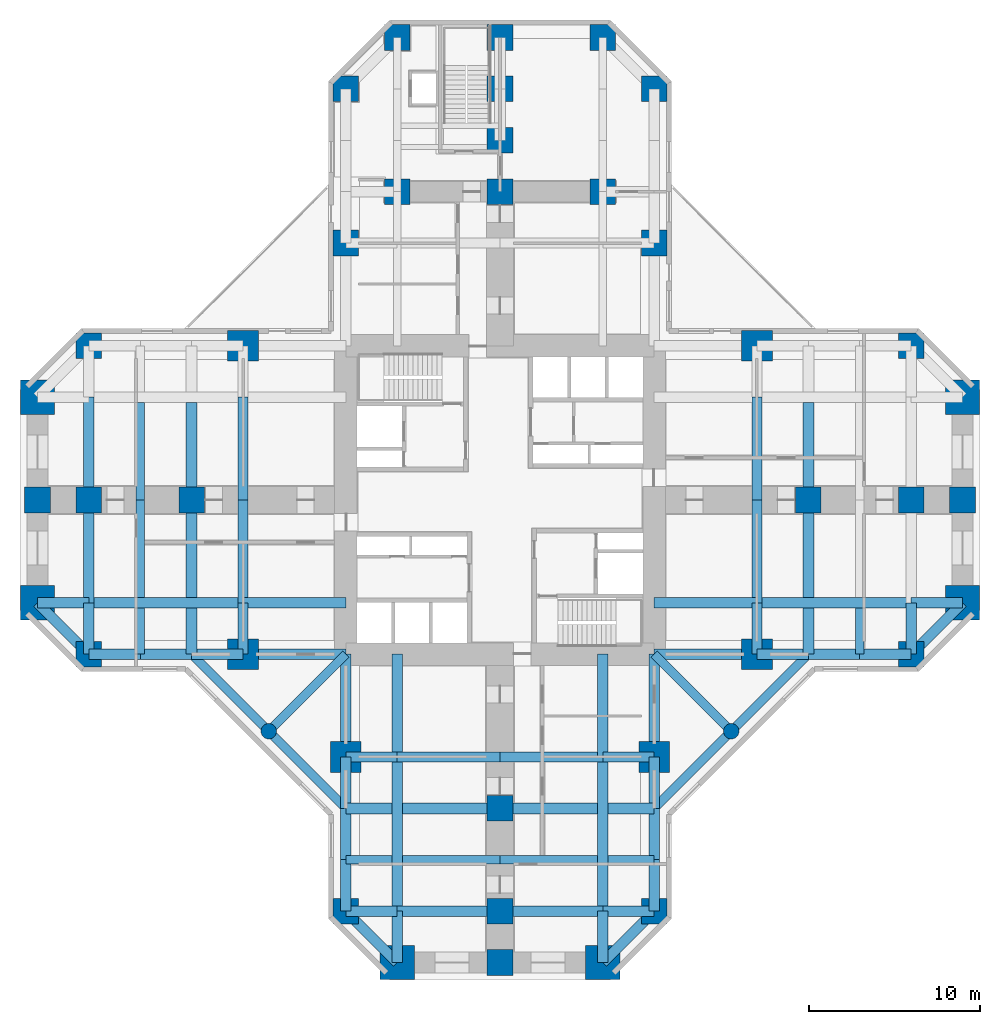
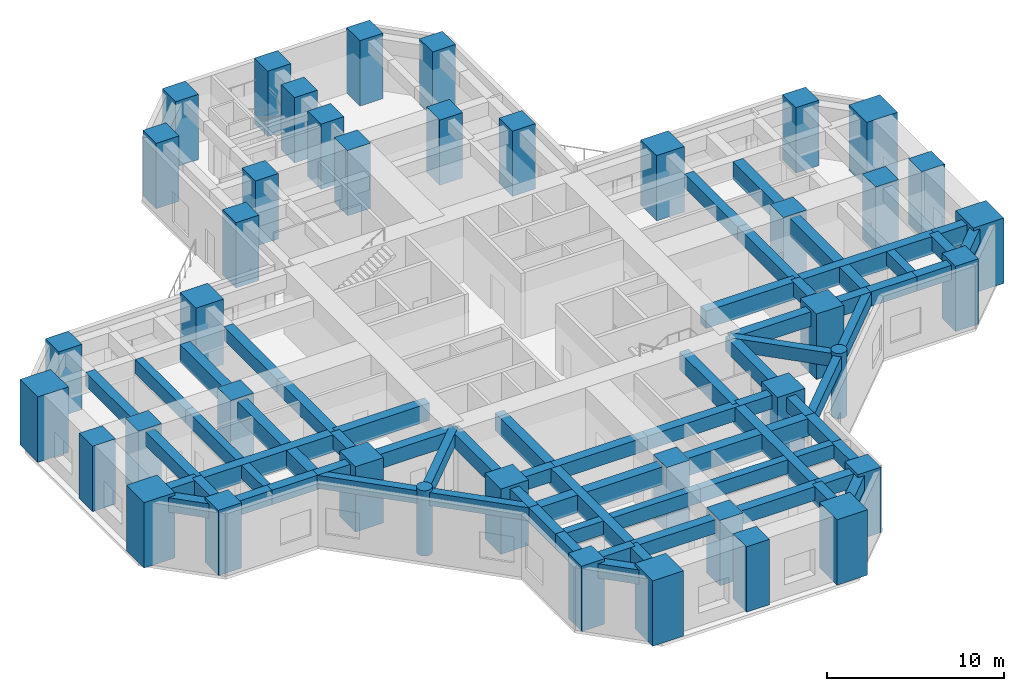
# One storey, part 1 of 10: 74 beams, 41 columns.
"""IFC4 building model written with IfcOpenShell, lengths in metres."""

import ifcopenshell
import ifcopenshell.guid

model = None  # the IFC model being written
_history = None  # IfcOwnerHistory: only IFC2X3 demands one
_inside = {}  # id of a spatial element -> (the spatial element, [elements in it])
_under = {}  # id of a project, library or spatial element -> (it, [spatial elements below it])
_declared = {}  # id of a project -> (the project, [libraries it declares])
_typed = {}  # id of a type object -> (the type object, [elements of that type])
_made_of = {}  # id of a material, layer set ... -> (it, [elements and type objects made of it])


def new_model(schema):
    """Start an empty IFC model of exactly this schema.

    Asked for "IFC4X3", IfcOpenShell would pick the latest addendum, in which some entities
    have other attributes; the version numbers below select the first issue.
    IFC2X3 requires an IfcOwnerHistory on every rooted entity: one is made here for all.
    """
    global model, _history
    if schema == "IFC4X3":
        model = ifcopenshell.file(schema_version=(4, 3, 0, 0))
    else:
        model = ifcopenshell.file(schema=schema)
    _inside.clear()
    _under.clear()
    _declared.clear()
    _typed.clear()
    _made_of.clear()
    _history = None
    if model.schema == "IFC2X3":
        org = make("IfcOrganization", Name="unknown")
        user = make(
            "IfcPersonAndOrganization",
            ThePerson=make("IfcPerson", FamilyName="unknown"),
            TheOrganization=org,
        )
        app = make(
            "IfcApplication",
            ApplicationDeveloper=org,
            Version="unknown",
            ApplicationFullName="unknown",
            ApplicationIdentifier="unknown",
        )
        _history = make(
            "IfcOwnerHistory",
            OwningUser=user,
            OwningApplication=app,
            ChangeAction="ADDED",
            CreationDate=0,
        )
    return model


def make(cls, **values):
    """One entity of the class cls with the attributes given. An attribute that is None is left unset."""
    return model.create_entity(
        cls, **{name: value for name, value in values.items() if value is not None}
    )


def rooted(cls, **values):
    """An entity with a GlobalId (a new one), such as an element, a storey or a relation."""
    return make(cls, GlobalId=ifcopenshell.guid.new(), OwnerHistory=_history, **values)


def si_unit(unit_type, name, prefix=None):
    """IfcSIUnit, for example si_unit("LENGTHUNIT", "METRE", prefix="MILLI")."""
    return make("IfcSIUnit", UnitType=unit_type, Prefix=prefix, Name=name)


def assignment(units):
    """IfcUnitAssignment: the units of a project."""
    return None if units is None else make("IfcUnitAssignment", Units=units)


def point(xyz):
    """IfcCartesianPoint."""
    return None if xyz is None else make("IfcCartesianPoint", Coordinates=xyz)


def direction(xyz):
    """IfcDirection."""
    return None if xyz is None else make("IfcDirection", DirectionRatios=xyz)


def frame(location, z_axis=None, x_axis=None):
    """IfcAxis2Placement3D, a coordinate frame: its origin and axes. An axis left out is left unset."""
    return make(
        "IfcAxis2Placement3D",
        Location=point(location),
        Axis=direction(z_axis),
        RefDirection=direction(x_axis),
    )


def frame_2d(location, x_axis=None):
    """IfcAxis2Placement2D, a coordinate frame in the plane: its origin and x axis."""
    return make(
        "IfcAxis2Placement2D", Location=point(location), RefDirection=direction(x_axis)
    )


def origin():
    """The frame at (0, 0, 0) with its axes left unset."""
    return frame((0.0, 0.0, 0.0))


def origin_2d():
    """The frame at (0, 0) in the plane with its x axis left unset."""
    return frame_2d((0.0, 0.0))


def place(relative_to, where):
    """IfcLocalPlacement: puts the frame where relative to a parent placement (None: the world)."""
    return make(
        "IfcLocalPlacement", PlacementRelTo=relative_to, RelativePlacement=where
    )


def context(
    kind, dimensions, precision=None, world=None, true_north=None, identifier=None
):
    """IfcGeometricRepresentationContext, for example the 3D "Model" context."""
    return make(
        "IfcGeometricRepresentationContext",
        ContextIdentifier=identifier,
        ContextType=kind,
        CoordinateSpaceDimension=dimensions,
        Precision=precision,
        WorldCoordinateSystem=world,
        TrueNorth=true_north,
    )


def subcontext(parent, identifier, kind, view, scale=None):
    """IfcGeometricRepresentationSubContext, for example "Body" below "Model"."""
    return make(
        "IfcGeometricRepresentationSubContext",
        ContextIdentifier=identifier,
        ContextType=kind,
        ParentContext=parent,
        TargetScale=scale,
        TargetView=view,
    )


def project(units=None, contexts=None):
    """IfcProject with its units and contexts."""
    return rooted(
        "IfcProject",
        Name="project",
        RepresentationContexts=contexts,
        UnitsInContext=assignment(units),
    )


def spatial(cls, under=None, at=None, **own):
    """A site, building, storey or space (cls), placed at a placement, below another one or the project."""
    s = rooted(cls, ObjectPlacement=at, **own)
    if under is not None:
        _under.setdefault(under.id(), (under, []))[1].append(s)
    return s


def profile(cls, at=None, kind="AREA", **sizes):
    """A parametric profile (cls). Its sizes go by their IFC names, for example OverallWidth=200.0."""
    return make(cls, ProfileType=kind, Position=at, **sizes)


def rectangle(**sizes):
    """IfcRectangleProfileDef."""
    return profile("IfcRectangleProfileDef", **sizes)


def circle(**sizes):
    """IfcCircleProfileDef."""
    return profile("IfcCircleProfileDef", **sizes)


def extrude(swept, where, along, depth):
    """IfcExtrudedAreaSolid: the profile swept, set in the frame where, extruded along a direction by depth."""
    return make(
        "IfcExtrudedAreaSolid",
        SweptArea=swept,
        Position=where,
        ExtrudedDirection=direction(along),
        Depth=depth,
    )


def shape(context_of_items, identifier, shape_type, items):
    """IfcShapeRepresentation: the items that make up one representation, for example the "Body"."""
    return make(
        "IfcShapeRepresentation",
        ContextOfItems=context_of_items,
        RepresentationIdentifier=identifier,
        RepresentationType=shape_type,
        Items=items,
    )


def material(Name=None, Category=None):
    """IfcMaterial."""
    return make("IfcMaterial", Name=Name, Category=Category)


def material_profile(
    of_material, cross_section, Name=None, Category=None, Priority=None
):
    """IfcMaterialProfile: a cross section and its material."""
    return make(
        "IfcMaterialProfile",
        Name=Name,
        Material=of_material,
        Profile=cross_section,
        Priority=Priority,
        Category=Category,
    )


def profile_set(profiles, Name=None, composite=None):
    """IfcMaterialProfileSet."""
    return make(
        "IfcMaterialProfileSet",
        Name=Name,
        MaterialProfiles=profiles,
        CompositeProfile=composite,
    )


def made_of(thing, what):
    """Note that an element or type object is made of a material, layer set ...; save() writes the relation."""
    if what is not None:
        _made_of.setdefault(what.id(), (what, []))[1].append(thing)
    return thing


def type_object(cls, material=None, **own):
    """A type object (cls), such as IfcWallType, which elements share."""
    return made_of(rooted(cls, **own), material)


def element(
    cls,
    number,
    at=None,
    inside=None,
    cuts=None,
    type_object=None,
    material=None,
    context=None,
    identifier="Body",
    shape_type=None,
    held_by="IfcProductDefinitionShape",
    body=None,
    shapes=None,
    **own,
):
    """One element of the class cls, such as IfcWall. Its Tag is "e" and its number.

    at: its placement. inside: the storey or other place that contains it. cuts: it is an
    opening in that element (IfcRelVoidsElement). A single representation is given by context,
    identifier, shape_type and body (its items); several are given by shapes. held_by: the class
    of the entity that holds the representations. save() writes the other relations.
    """
    e = rooted(cls, Tag="e%d" % number, ObjectPlacement=at, **own)
    if body is not None:
        shapes = [shape(context, identifier, shape_type, body)]
    if shapes is not None:
        e.Representation = make(held_by, Representations=shapes)
    if inside is not None:
        _inside.setdefault(inside.id(), (inside, []))[1].append(e)
    if cuts is not None:
        rooted(
            "IfcRelVoidsElement", RelatingBuildingElement=cuts, RelatedOpeningElement=e
        )
    if type_object is not None:
        _typed.setdefault(type_object.id(), (type_object, []))[1].append(e)
    return made_of(e, material)


def aggregate(whole, parts):
    """IfcRelAggregates: a whole, such as a stair, and the parts it consists of."""
    return rooted("IfcRelAggregates", RelatingObject=whole, RelatedObjects=parts)


def save(model, path):
    """Write the relations noted so far, then the file.

    IfcRelAggregates (storeys below a building ...), IfcRelContainedInSpatialStructure (elements
    in a storey), IfcRelDefinesByType, IfcRelAssociatesMaterial and IfcRelDeclares: one each for
    every whole, place, type object, material and project.
    """
    for whole, parts in _under.values():
        aggregate(whole, parts)
    for where, things in _inside.values():
        rooted(
            "IfcRelContainedInSpatialStructure",
            RelatedElements=things,
            RelatingStructure=where,
        )
    for kind, things in _typed.values():
        rooted("IfcRelDefinesByType", RelatedObjects=things, RelatingType=kind)
    for what, things in _made_of.values():
        rooted("IfcRelAssociatesMaterial", RelatedObjects=things, RelatingMaterial=what)
    for by, libraries in _declared.values():
        rooted("IfcRelDeclares", RelatingContext=by, RelatedDefinitions=libraries)
    model.write(path)


model = new_model("IFC4")

# Units and contexts
model_context = context("Model", 3, precision=1e-05, world=origin(), true_north=direction((0.0, 1.0)))
body_context = subcontext(model_context, "Body", "Model", "MODEL_VIEW")
ifc_project = project(units=[si_unit("LENGTHUNIT", "METRE"), si_unit("AREAUNIT", "SQUARE_METRE"), si_unit("VOLUMEUNIT", "CUBIC_METRE"), si_unit("PLANEANGLEUNIT", "RADIAN"), si_unit("MASSUNIT", "GRAM", prefix="KILO")], contexts=[model_context])

# Site, building, storey
site_placement = place(None, origin())
site = spatial("IfcSite", under=ifc_project, at=site_placement, CompositionType="ELEMENT")
building_placement = place(site_placement, origin())
building = spatial("IfcBuilding", under=site, at=building_placement, Name="Torre Cruceta", CompositionType="ELEMENT")
storey_placement = place(building_placement, frame((0.0, 0.0, 5.0)))
storey = spatial("IfcBuildingStorey", under=building, at=storey_placement, Name="L01", CompositionType="ELEMENT", Elevation=5.0)

# Columns
ifc_material_1 = material(Name="Concrete G60 (fck 60 MPa)", Category="concrete")
ifc_material_profile_1 = material_profile(ifc_material_1, rectangle(XDim=1.5, YDim=1.5, at=origin_2d()), Name="RC 1500X1500")
ifc_profile_set_1 = profile_set([ifc_material_profile_1], Name="Concrete G60 (fck 60 MPa)")
column_type_1 = type_object("IfcColumnType", Name="COLUMN RC 1500X1500", PredefinedType="COLUMN", material=ifc_profile_set_1)
for number, where, z_axis, x_axis, name in (
    (1, (9.0, 15.0, 0.0), (0.0, 0.0, 1.0), (1.0, 0.0, 0.0), "C0 L01 N side"),
    (2, (9.0, 24.0, 0.0), (0.0, 0.0, 1.0), (1.0, 0.0, 0.0), "C0 L01 N chamfer"),
    (3, (-9.0, 15.0, 0.0), (0.0, 0.0, 1.0), (1.0, 0.0, 0.0), "C0 L01 N side"),
    (4, (-9.0, 24.0, 0.0), (0.0, 0.0, 1.0), (1.0, 0.0, 0.0), "C0 L01 N chamfer"),
    (5, (6.0, 27.0, 0.0), (0.0, 0.0, 1.0), (1.0, 0.0, 0.0), "C0 L01 N tip"),
    (6, (0.0, 27.0, 0.0), (0.0, 0.0, 1.0), (1.0, 0.0, 0.0), "C0 L01 N tip"),
    (7, (-6.0, 27.0, 0.0), (0.0, 0.0, 1.0), (1.0, 0.0, 0.0), "C0 L01 N tip"),
    (8, (24.0, -9.0, 0.0), (0.0, 0.0, 1.0), (1.0, 0.0, 0.0), "C0 L01 E chamfer"),
    (9, (24.0, 9.0, 0.0), (0.0, 0.0, 1.0), (1.0, 0.0, 0.0), "C0 L01 E chamfer"),
    (10, (27.0, 0.0, 0.0), (0.0, 0.0, 1.0), (1.0, 0.0, 0.0), "C0 L01 E tip"),
    (11, (-9.0, -24.0, 0.0), (0.0, 0.0, 1.0), (1.0, 0.0, 0.0), "C0 L01 S chamfer"),
    (12, (9.0, -24.0, 0.0), (0.0, 0.0, 1.0), (1.0, 0.0, 0.0), "C0 L01 S chamfer"),
    (13, (0.0, -27.0, 0.0), (0.0, 0.0, 1.0), (1.0, 0.0, 0.0), "C0 L01 S tip"),
    (14, (-24.0, 9.0, 0.0), (0.0, 0.0, 1.0), (1.0, 0.0, 0.0), "C0 L01 W chamfer"),
    (15, (-24.0, -9.0, 0.0), (0.0, 0.0, 1.0), (1.0, 0.0, 0.0), "C0 L01 W chamfer"),
    (16, (-27.0, 0.0, 0.0), (0.0, 0.0, 1.0), (1.0, 0.0, 0.0), "C0 L01 W tip"),
    (17, (6.0, 18.0, 0.0), (0.0, 0.0, 1.0), (1.0, 0.0, 0.0), "C0 L01 N interior"),
    (18, (0.0, 18.0, 0.0), (0.0, 0.0, 1.0), (1.0, 0.0, 0.0), "C0 L01 N interior"),
    (19, (-6.0, 18.0, 0.0), (0.0, 0.0, 1.0), (1.0, 0.0, 0.0), "C0 L01 N interior"),
    (20, (0.0, 21.0, 0.0), (0.0, 0.0, 1.0), (1.0, 0.0, 0.0), "C0 L01 N interior"),
    (21, (0.0, 24.0, 0.0), (0.0, 0.0, 1.0), (1.0, 0.0, 0.0), "C0 L01 N interior"),
    (22, (18.0, 0.0, 0.0), (0.0, 0.0, 1.0), (1.0, 0.0, 0.0), "C0 L01 E interior"),
    (23, (24.0, 0.0, 0.0), (0.0, 0.0, 1.0), (1.0, 0.0, 0.0), "C0 L01 E interior"),
    (24, (0.0, -18.0, 0.0), (0.0, 0.0, 1.0), (1.0, 0.0, 0.0), "C0 L01 S interior"),
    (25, (0.0, -24.0, 0.0), (0.0, 0.0, 1.0), (1.0, 0.0, 0.0), "C0 L01 S interior"),
    (26, (-18.0, 0.0, 0.0), (0.0, 0.0, 1.0), (1.0, 0.0, 0.0), "C0 L01 W interior"),
    (27, (-24.0, 0.0, 0.0), (0.0, 0.0, 1.0), (1.0, 0.0, 0.0), "C0 L01 W interior"),
):
    element("IfcColumn", number, at=place(storey_placement, frame(where, z_axis=z_axis, x_axis=x_axis)), inside=storey, type_object=column_type_1, Name=name, PredefinedType="COLUMN", context=body_context, shape_type="SweptSolid", body=[
        extrude(rectangle(XDim=1.5, YDim=1.5, at=origin_2d()), origin(), (0.0, 0.0, 1.0), 4.5),
    ])
ifc_material_2 = material(Name="Concrete G60 (fck 60 MPa)", Category="concrete")
ifc_material_profile_2 = material_profile(ifc_material_2, rectangle(XDim=1.800048828125, YDim=1.800048828125, at=origin_2d()), Name="RC 1800X1800")
ifc_profile_set_2 = profile_set([ifc_material_profile_2], Name="Concrete G60 (fck 60 MPa)")
column_type_2 = type_object("IfcColumnType", Name="COLUMN RC 1800X1800", PredefinedType="COLUMN", material=ifc_profile_set_2)
for number, where, z_axis, x_axis, name in (
    (28, (15.0, -9.0, 0.0), (0.0, 0.0, 1.0), (1.0, 0.0, 0.0), "CB L01 E side"),
    (29, (15.0, 9.0, 0.0), (0.0, 0.0, 1.0), (1.0, 0.0, 0.0), "CB L01 E side"),
    (30, (-9.0, -15.0, 0.0), (0.0, 0.0, 1.0), (1.0, 0.0, 0.0), "CB L01 S side"),
    (31, (9.0, -15.0, 0.0), (0.0, 0.0, 1.0), (1.0, 0.0, 0.0), "CB L01 S side"),
    (32, (-15.0, 9.0, 0.0), (0.0, 0.0, 1.0), (1.0, 0.0, 0.0), "CB L01 W side"),
    (33, (-15.0, -9.0, 0.0), (0.0, 0.0, 1.0), (1.0, 0.0, 0.0), "CB L01 W side"),
):
    element("IfcColumn", number, at=place(storey_placement, frame(where, z_axis=z_axis, x_axis=x_axis)), inside=storey, type_object=column_type_2, Name=name, PredefinedType="COLUMN", context=body_context, shape_type="SweptSolid", body=[
        extrude(rectangle(XDim=1.800048828125, YDim=1.800048828125, at=origin_2d()), origin(), (0.0, 0.0, 1.0), 4.5),
    ])
ifc_material_3 = material(Name="Concrete G60 (fck 60 MPa)", Category="concrete")
ifc_material_profile_3 = material_profile(ifc_material_3, rectangle(XDim=2.0, YDim=2.0, at=origin_2d()), Name="RC 2000X2000")
ifc_profile_set_3 = profile_set([ifc_material_profile_3], Name="Concrete G60 (fck 60 MPa)")
column_type_3 = type_object("IfcColumnType", Name="COLUMN RC 2000X2000", PredefinedType="COLUMN", material=ifc_profile_set_3)
for number, where, z_axis, x_axis, name in (
    (34, (27.0, -6.0, 0.0), (0.0, 0.0, 1.0), (1.0, 0.0, 0.0), "CA L01 E tip"),
    (35, (27.0, 6.0, 0.0), (0.0, 0.0, 1.0), (1.0, 0.0, 0.0), "CA L01 E tip"),
    (36, (-6.0, -27.0, 0.0), (0.0, 0.0, 1.0), (1.0, 0.0, 0.0), "CA L01 S tip"),
    (37, (6.0, -27.0, 0.0), (0.0, 0.0, 1.0), (1.0, 0.0, 0.0), "CA L01 S tip"),
    (38, (-27.0, 6.0, 0.0), (0.0, 0.0, 1.0), (1.0, 0.0, 0.0), "CA L01 W tip"),
    (39, (-27.0, -6.0, 0.0), (0.0, 0.0, 1.0), (1.0, 0.0, 0.0), "CA L01 W tip"),
):
    element("IfcColumn", number, at=place(storey_placement, frame(where, z_axis=z_axis, x_axis=x_axis)), inside=storey, type_object=column_type_3, Name=name, PredefinedType="COLUMN", context=body_context, shape_type="SweptSolid", body=[
        extrude(rectangle(XDim=2.0, YDim=2.0, at=origin_2d()), origin(), (0.0, 0.0, 1.0), 4.5),
    ])
ifc_material_4 = material(Name="Concrete G60 (fck 60 MPa)", Category="concrete")
ifc_material_profile_4 = material_profile(ifc_material_4, circle(Radius=0.449951171875, at=origin_2d()), Name="RC D900")
ifc_profile_set_4 = profile_set([ifc_material_profile_4], Name="Concrete G60 (fck 60 MPa)")
column_type_4 = type_object("IfcColumnType", Name="COLUMN RC D900", PredefinedType="COLUMN", material=ifc_profile_set_4)
for number, where, z_axis, x_axis, name in (
    (40, (13.5, -13.5, 0.0), (0.0, 0.0, 1.0), (1.0, 0.0, 0.0), "C9 L01 S wing"),
    (41, (-13.5, -13.5, 0.0), (0.0, 0.0, 1.0), (1.0, 0.0, 0.0), "C9 L01 W wing"),
):
    element("IfcColumn", number, at=place(storey_placement, frame(where, z_axis=z_axis, x_axis=x_axis)), inside=storey, type_object=column_type_4, Name=name, PredefinedType="COLUMN", context=body_context, shape_type="SweptSolid", body=[
        extrude(circle(Radius=0.449951171875, at=origin_2d()), origin(), (0.0, 0.0, 1.0), 4.5),
    ])

# Beams
ifc_material_5 = material(Name="Concrete G60 (fck 60 MPa)", Category="concrete")
ifc_material_profile_5 = material_profile(ifc_material_5, rectangle(XDim=0.60009765625, YDim=1.199951171875, at=origin_2d()), Name="RC 600X1200")
ifc_profile_set_5 = profile_set([ifc_material_profile_5], Name="Concrete G60 (fck 60 MPa)")
beam_type_1 = type_object("IfcBeamType", Name="COLUMN LINE BEAM RC 600X1200", PredefinedType="BEAM", material=ifc_profile_set_5)
beam_1_placement = place(storey_placement, frame((9.0, -6.0, 3.699951171875), z_axis=(1.0, 0.0, 0.0), x_axis=(0.0, 1.0, 0.0)))
element("IfcBeam", 42, at=beam_1_placement, inside=storey, type_object=beam_type_1, Name="LB2 L01 E col- 1", PredefinedType="BEAM", context=body_context, shape_type="SweptSolid", body=[
    extrude(rectangle(XDim=0.60009765625, YDim=1.199951171875, at=origin_2d()), origin(), (0.0, 0.0, 1.0), 6.0),
])
beam_2_placement = place(storey_placement, frame((15.0, -6.0, 3.699951171875), z_axis=(1.0, 0.0, 0.0), x_axis=(0.0, 1.0, 0.0)))
element("IfcBeam", 43, at=beam_2_placement, inside=storey, type_object=beam_type_1, Name="LB2 L01 E col- 2", PredefinedType="BEAM", context=body_context, shape_type="SweptSolid", body=[
    extrude(rectangle(XDim=0.60009765625, YDim=1.199951171875, at=origin_2d()), origin(), (0.0, 0.0, 1.0), 9.0),
])
beam_3_placement = place(storey_placement, frame((24.0, -6.0, 3.699951171875), z_axis=(1.0, 0.0, 0.0), x_axis=(0.0, 1.0, 0.0)))
element("IfcBeam", 44, at=beam_3_placement, inside=storey, type_object=beam_type_1, Name="LB2 L01 E col- 5", PredefinedType="BEAM", context=body_context, shape_type="SweptSolid", body=[
    extrude(rectangle(XDim=0.60009765625, YDim=1.199951171875, at=origin_2d()), origin(), (0.0, 0.0, 1.0), 3.0),
])
beam_4_placement = place(storey_placement, frame((-6.0, -9.0, 3.699951171875), z_axis=(0.0, -1.0, 0.0), x_axis=(1.0, 0.0, 0.0)))
element("IfcBeam", 45, at=beam_4_placement, inside=storey, type_object=beam_type_1, Name="LB2 L01 S col- 1", PredefinedType="BEAM", context=body_context, shape_type="SweptSolid", body=[
    extrude(rectangle(XDim=0.60009765625, YDim=1.199951171875, at=origin_2d()), origin(), (0.0, 0.0, 1.0), 6.0),
])
beam_5_placement = place(storey_placement, frame((-6.0, -15.0, 3.699951171875), z_axis=(0.0, -1.0, 0.0), x_axis=(1.0, 0.0, 0.0)))
element("IfcBeam", 46, at=beam_5_placement, inside=storey, type_object=beam_type_1, Name="LB2 L01 S col- 2", PredefinedType="BEAM", context=body_context, shape_type="SweptSolid", body=[
    extrude(rectangle(XDim=0.60009765625, YDim=1.199951171875, at=origin_2d()), origin(), (0.0, 0.0, 1.0), 9.0),
])
beam_6_placement = place(storey_placement, frame((-6.0, -24.0, 3.699951171875), z_axis=(0.0, -1.0, 0.0), x_axis=(1.0, 0.0, 0.0)))
element("IfcBeam", 47, at=beam_6_placement, inside=storey, type_object=beam_type_1, Name="LB2 L01 S col- 5", PredefinedType="BEAM", context=body_context, shape_type="SweptSolid", body=[
    extrude(rectangle(XDim=0.60009765625, YDim=1.199951171875, at=origin_2d()), origin(), (0.0, 0.0, 1.0), 3.0),
])
beam_7_placement = place(storey_placement, frame((6.0, -9.0, 3.699951171875), z_axis=(0.0, -1.0, 0.0), x_axis=(1.0, 0.0, 0.0)))
element("IfcBeam", 48, at=beam_7_placement, inside=storey, type_object=beam_type_1, Name="LB2 L01 S col+ 1", PredefinedType="BEAM", context=body_context, shape_type="SweptSolid", body=[
    extrude(rectangle(XDim=0.60009765625, YDim=1.199951171875, at=origin_2d()), origin(), (0.0, 0.0, 1.0), 6.0),
])
beam_8_placement = place(storey_placement, frame((6.0, -15.0, 3.699951171875), z_axis=(0.0, -1.0, 0.0), x_axis=(1.0, 0.0, 0.0)))
element("IfcBeam", 49, at=beam_8_placement, inside=storey, type_object=beam_type_1, Name="LB2 L01 S col+ 2", PredefinedType="BEAM", context=body_context, shape_type="SweptSolid", body=[
    extrude(rectangle(XDim=0.60009765625, YDim=1.199951171875, at=origin_2d()), origin(), (0.0, 0.0, 1.0), 9.0),
])
beam_9_placement = place(storey_placement, frame((6.0, -24.0, 3.699951171875), z_axis=(0.0, -1.0, 0.0), x_axis=(1.0, 0.0, 0.0)))
element("IfcBeam", 50, at=beam_9_placement, inside=storey, type_object=beam_type_1, Name="LB2 L01 S col+ 5", PredefinedType="BEAM", context=body_context, shape_type="SweptSolid", body=[
    extrude(rectangle(XDim=0.60009765625, YDim=1.199951171875, at=origin_2d()), origin(), (0.0, 0.0, 1.0), 3.0),
])
beam_10_placement = place(storey_placement, frame((-9.0, -6.0, 3.699951171875), z_axis=(-1.0, 0.0, 0.0), x_axis=(0.0, -1.0, 0.0)))
element("IfcBeam", 51, at=beam_10_placement, inside=storey, type_object=beam_type_1, Name="LB2 L01 W col+ 1", PredefinedType="BEAM", context=body_context, shape_type="SweptSolid", body=[
    extrude(rectangle(XDim=0.60009765625, YDim=1.199951171875, at=origin_2d()), origin(), (0.0, 0.0, 1.0), 6.0),
])
beam_11_placement = place(storey_placement, frame((-15.0, -6.0, 3.699951171875), z_axis=(-1.0, 0.0, 0.0), x_axis=(0.0, -1.0, 0.0)))
element("IfcBeam", 52, at=beam_11_placement, inside=storey, type_object=beam_type_1, Name="LB2 L01 W col+ 2", PredefinedType="BEAM", context=body_context, shape_type="SweptSolid", body=[
    extrude(rectangle(XDim=0.60009765625, YDim=1.199951171875, at=origin_2d()), origin(), (0.0, 0.0, 1.0), 9.0),
])
beam_12_placement = place(storey_placement, frame((-24.0, -6.0, 3.699951171875), z_axis=(-1.0, 0.0, 0.0), x_axis=(0.0, -1.0, 0.0)))
element("IfcBeam", 53, at=beam_12_placement, inside=storey, type_object=beam_type_1, Name="LB2 L01 W col+ 5", PredefinedType="BEAM", context=body_context, shape_type="SweptSolid", body=[
    extrude(rectangle(XDim=0.60009765625, YDim=1.199951171875, at=origin_2d()), origin(), (0.0, 0.0, 1.0), 3.0),
])
ifc_material_6 = material(Name="Concrete G60 (fck 60 MPa)", Category="concrete")
ifc_material_profile_6 = material_profile(ifc_material_6, rectangle(XDim=0.60009765625, YDim=0.949951171875, at=origin_2d()), Name="RC 600X950")
ifc_profile_set_6 = profile_set([ifc_material_profile_6], Name="Concrete G60 (fck 60 MPa)")
beam_type_2 = type_object("IfcBeamType", Name="CROSS BEAM RC 600X950", PredefinedType="BEAM", material=ifc_profile_set_6)
beam_13_placement = place(storey_placement, frame((15.0, -9.0, 3.824951171875), z_axis=(0.0, 1.0, 0.0), x_axis=(-1.0, 0.0, 0.0)))
element("IfcBeam", 54, at=beam_13_placement, inside=storey, type_object=beam_type_2, Name="GB1 L01 E cross15 1", PredefinedType="BEAM", context=body_context, shape_type="SweptSolid", body=[
    extrude(rectangle(XDim=0.60009765625, YDim=0.949951171875, at=origin_2d()), origin(), (0.0, 0.0, 1.0), 3.0),
])
for number, where, z_axis, x_axis, name in (
    (55, (15.0, -6.0, 3.824951171875), (0.0, 1.0, 0.0), (-1.0, 0.0, 0.0), "GB1 L01 E cross15 2"),
    (56, (15.0, 0.0, 3.824951171875), (0.0, 1.0, 0.0), (-1.0, 0.0, 0.0), "GB1 L01 E cross15 3"),
):
    element("IfcBeam", number, at=place(storey_placement, frame(where, z_axis=z_axis, x_axis=x_axis)), inside=storey, type_object=beam_type_2, Name=name, PredefinedType="BEAM", context=body_context, shape_type="SweptSolid", body=[
        extrude(rectangle(XDim=0.60009765625, YDim=0.949951171875, at=origin_2d()), origin(), (0.0, 0.0, 1.0), 6.0),
    ])
for number, where, z_axis, x_axis, name in (
    (57, (24.0, -9.0, 3.824951171875), (0.0, 1.0, 0.0), (-1.0, 0.0, 0.0), "GB1 L01 E cross24 1"),
    (58, (-9.0, -15.0, 3.824951171875), (1.0, 0.0, 0.0), (0.0, 1.0, 0.0), "GB1 L01 S cross15 1"),
):
    element("IfcBeam", number, at=place(storey_placement, frame(where, z_axis=z_axis, x_axis=x_axis)), inside=storey, type_object=beam_type_2, Name=name, PredefinedType="BEAM", context=body_context, shape_type="SweptSolid", body=[
        extrude(rectangle(XDim=0.60009765625, YDim=0.949951171875, at=origin_2d()), origin(), (0.0, 0.0, 1.0), 3.0),
    ])
for number, where, z_axis, x_axis, name in (
    (59, (-6.0, -15.0, 3.824951171875), (1.0, 0.0, 0.0), (0.0, 1.0, 0.0), "GB1 L01 S cross15 2"),
    (60, (0.0, -15.0, 3.824951171875), (1.0, 0.0, 0.0), (0.0, 1.0, 0.0), "GB1 L01 S cross15 3"),
):
    element("IfcBeam", number, at=place(storey_placement, frame(where, z_axis=z_axis, x_axis=x_axis)), inside=storey, type_object=beam_type_2, Name=name, PredefinedType="BEAM", context=body_context, shape_type="SweptSolid", body=[
        extrude(rectangle(XDim=0.60009765625, YDim=0.949951171875, at=origin_2d()), origin(), (0.0, 0.0, 1.0), 6.0),
    ])
for number, where, z_axis, x_axis, name in (
    (61, (6.0, -15.0, 3.824951171875), (1.0, 0.0, 0.0), (0.0, 1.0, 0.0), "GB1 L01 S cross15 4"),
    (62, (-9.0, -24.0, 3.824951171875), (1.0, 0.0, 0.0), (0.0, 1.0, 0.0), "GB1 L01 S cross24 1"),
):
    element("IfcBeam", number, at=place(storey_placement, frame(where, z_axis=z_axis, x_axis=x_axis)), inside=storey, type_object=beam_type_2, Name=name, PredefinedType="BEAM", context=body_context, shape_type="SweptSolid", body=[
        extrude(rectangle(XDim=0.60009765625, YDim=0.949951171875, at=origin_2d()), origin(), (0.0, 0.0, 1.0), 3.0),
    ])
for number, where, z_axis, x_axis, name in (
    (63, (-6.0, -24.0, 3.824951171875), (1.0, 0.0, 0.0), (0.0, 1.0, 0.0), "GB1 L01 S cross24 2"),
    (64, (0.0, -24.0, 3.824951171875), (1.0, 0.0, 0.0), (0.0, 1.0, 0.0), "GB1 L01 S cross24 3"),
):
    element("IfcBeam", number, at=place(storey_placement, frame(where, z_axis=z_axis, x_axis=x_axis)), inside=storey, type_object=beam_type_2, Name=name, PredefinedType="BEAM", context=body_context, shape_type="SweptSolid", body=[
        extrude(rectangle(XDim=0.60009765625, YDim=0.949951171875, at=origin_2d()), origin(), (0.0, 0.0, 1.0), 6.0),
    ])
beam_14_placement = place(storey_placement, frame((6.0, -24.0, 3.824951171875), z_axis=(1.0, 0.0, 0.0), x_axis=(0.0, 1.0, 0.0)))
element("IfcBeam", 65, at=beam_14_placement, inside=storey, type_object=beam_type_2, Name="GB1 L01 S cross24 4", PredefinedType="BEAM", context=body_context, shape_type="SweptSolid", body=[
    extrude(rectangle(XDim=0.60009765625, YDim=0.949951171875, at=origin_2d()), origin(), (0.0, 0.0, 1.0), 3.0),
])
for number, where, z_axis, x_axis, name in (
    (66, (-15.0, 6.0, 3.824951171875), (0.0, -1.0, 0.0), (1.0, 0.0, 0.0), "GB1 L01 W cross15 2"),
    (67, (-15.0, 0.0, 3.824951171875), (0.0, -1.0, 0.0), (1.0, 0.0, 0.0), "GB1 L01 W cross15 3"),
):
    element("IfcBeam", number, at=place(storey_placement, frame(where, z_axis=z_axis, x_axis=x_axis)), inside=storey, type_object=beam_type_2, Name=name, PredefinedType="BEAM", context=body_context, shape_type="SweptSolid", body=[
        extrude(rectangle(XDim=0.60009765625, YDim=0.949951171875, at=origin_2d()), origin(), (0.0, 0.0, 1.0), 6.0),
    ])
beam_15_placement = place(storey_placement, frame((-15.0, -6.0, 3.824951171875), z_axis=(0.0, -1.0, 0.0), x_axis=(1.0, 0.0, 0.0)))
element("IfcBeam", 68, at=beam_15_placement, inside=storey, type_object=beam_type_2, Name="GB1 L01 W cross15 4", PredefinedType="BEAM", context=body_context, shape_type="SweptSolid", body=[
    extrude(rectangle(XDim=0.60009765625, YDim=0.949951171875, at=origin_2d()), origin(), (0.0, 0.0, 1.0), 3.0),
])
for number, where, z_axis, x_axis, name in (
    (69, (-24.0, 6.0, 3.824951171875), (0.0, -1.0, 0.0), (1.0, 0.0, 0.0), "GB1 L01 W cross24 2"),
    (70, (-24.0, 0.0, 3.824951171875), (0.0, -1.0, 0.0), (1.0, 0.0, 0.0), "GB1 L01 W cross24 3"),
):
    element("IfcBeam", number, at=place(storey_placement, frame(where, z_axis=z_axis, x_axis=x_axis)), inside=storey, type_object=beam_type_2, Name=name, PredefinedType="BEAM", context=body_context, shape_type="SweptSolid", body=[
        extrude(rectangle(XDim=0.60009765625, YDim=0.949951171875, at=origin_2d()), origin(), (0.0, 0.0, 1.0), 6.0),
    ])
beam_16_placement = place(storey_placement, frame((-24.0, -6.0, 3.824951171875), z_axis=(0.0, -1.0, 0.0), x_axis=(1.0, 0.0, 0.0)))
element("IfcBeam", 71, at=beam_16_placement, inside=storey, type_object=beam_type_2, Name="GB1 L01 W cross24 4", PredefinedType="BEAM", context=body_context, shape_type="SweptSolid", body=[
    extrude(rectangle(XDim=0.60009765625, YDim=0.949951171875, at=origin_2d()), origin(), (0.0, 0.0, 1.0), 3.0),
])
ifc_material_7 = material(Name="Concrete G60 (fck 60 MPa)", Category="concrete")
ifc_material_profile_7 = material_profile(ifc_material_7, rectangle(XDim=0.64990234375, YDim=1.199951171875, at=origin_2d()), Name="RC 650X1200")
ifc_profile_set_7 = profile_set([ifc_material_profile_7], Name="Concrete G60 (fck 60 MPa)")
beam_type_3 = type_object("IfcBeamType", Name="CROSS BEAM RC 650X1200", PredefinedType="BEAM", material=ifc_profile_set_7)
beam_17_placement = place(storey_placement, frame((18.0, -9.0, 3.699951171875), z_axis=(0.0, 1.0, 0.0), x_axis=(-1.0, 0.0, 0.0)))
element("IfcBeam", 72, at=beam_17_placement, inside=storey, type_object=beam_type_3, Name="GB2 L01 E cross18 1", PredefinedType="BEAM", context=body_context, shape_type="SweptSolid", body=[
    extrude(rectangle(XDim=0.64990234375, YDim=1.199951171875, at=origin_2d()), origin(), (0.0, 0.0, 1.0), 2.699951171875),
])
for number, where, z_axis, x_axis, name in (
    (73, (18.0, -5.699951171875, 3.699951171875), (0.0, 1.0, 0.0), (-1.0, 0.0, 0.0), "GB2 L01 E cross18 2"),
    (74, (18.0, 0.0, 3.699951171875), (0.0, 1.0, 0.0), (-1.0, 0.0, 0.0), "GB2 L01 E cross18 3"),
):
    element("IfcBeam", number, at=place(storey_placement, frame(where, z_axis=z_axis, x_axis=x_axis)), inside=storey, type_object=beam_type_3, Name=name, PredefinedType="BEAM", context=body_context, shape_type="SweptSolid", body=[
        extrude(rectangle(XDim=0.64990234375, YDim=1.199951171875, at=origin_2d()), origin(), (0.0, 0.0, 1.0), 5.699951171875),
    ])
beam_18_placement = place(storey_placement, frame((-9.0, -18.0, 3.699951171875), z_axis=(1.0, 0.0, 0.0), x_axis=(0.0, 1.0, 0.0)))
element("IfcBeam", 75, at=beam_18_placement, inside=storey, type_object=beam_type_3, Name="GB2 L01 S cross18 1", PredefinedType="BEAM", context=body_context, shape_type="SweptSolid", body=[
    extrude(rectangle(XDim=0.64990234375, YDim=1.199951171875, at=origin_2d()), origin(), (0.0, 0.0, 1.0), 2.699951171875),
])
for number, where, z_axis, x_axis, name in (
    (76, (-5.699951171875, -18.0, 3.699951171875), (1.0, 0.0, 0.0), (0.0, 1.0, 0.0), "GB2 L01 S cross18 2"),
    (77, (0.0, -18.0, 3.699951171875), (1.0, 0.0, 0.0), (0.0, 1.0, 0.0), "GB2 L01 S cross18 3"),
):
    element("IfcBeam", number, at=place(storey_placement, frame(where, z_axis=z_axis, x_axis=x_axis)), inside=storey, type_object=beam_type_3, Name=name, PredefinedType="BEAM", context=body_context, shape_type="SweptSolid", body=[
        extrude(rectangle(XDim=0.64990234375, YDim=1.199951171875, at=origin_2d()), origin(), (0.0, 0.0, 1.0), 5.699951171875),
    ])
beam_19_placement = place(storey_placement, frame((6.300048828125, -18.0, 3.699951171875), z_axis=(1.0, 0.0, 0.0), x_axis=(0.0, 1.0, 0.0)))
element("IfcBeam", 78, at=beam_19_placement, inside=storey, type_object=beam_type_3, Name="GB2 L01 S cross18 4", PredefinedType="BEAM", context=body_context, shape_type="SweptSolid", body=[
    extrude(rectangle(XDim=0.64990234375, YDim=1.199951171875, at=origin_2d()), origin(), (0.0, 0.0, 1.0), 2.699951171875),
])
for number, where, z_axis, x_axis, name in (
    (79, (-18.0, 5.699951171875, 3.699951171875), (0.0, -1.0, 0.0), (1.0, 0.0, 0.0), "GB2 L01 W cross18 2"),
    (80, (-18.0, 0.0, 3.699951171875), (0.0, -1.0, 0.0), (1.0, 0.0, 0.0), "GB2 L01 W cross18 3"),
):
    element("IfcBeam", number, at=place(storey_placement, frame(where, z_axis=z_axis, x_axis=x_axis)), inside=storey, type_object=beam_type_3, Name=name, PredefinedType="BEAM", context=body_context, shape_type="SweptSolid", body=[
        extrude(rectangle(XDim=0.64990234375, YDim=1.199951171875, at=origin_2d()), origin(), (0.0, 0.0, 1.0), 5.699951171875),
    ])
beam_20_placement = place(storey_placement, frame((-18.0, -6.300048828125, 3.699951171875), z_axis=(0.0, -1.0, 0.0), x_axis=(1.0, 0.0, 0.0)))
element("IfcBeam", 81, at=beam_20_placement, inside=storey, type_object=beam_type_3, Name="GB2 L01 W cross18 4", PredefinedType="BEAM", context=body_context, shape_type="SweptSolid", body=[
    extrude(rectangle(XDim=0.64990234375, YDim=1.199951171875, at=origin_2d()), origin(), (0.0, 0.0, 1.0), 2.699951171875),
])
ifc_material_8 = material(Name="Concrete G60 (fck 60 MPa)", Category="concrete")
ifc_material_profile_8 = material_profile(ifc_material_8, rectangle(XDim=0.5, YDim=0.949951171875, at=origin_2d()), Name="RC 500X950")
ifc_profile_set_8 = profile_set([ifc_material_profile_8], Name="Concrete G60 (fck 60 MPa)")
beam_type_4 = type_object("IfcBeamType", Name="SECONDARY BEAM RC 500X950", PredefinedType="JOIST", material=ifc_profile_set_8)
for number, where, z_axis, x_axis, name in (
    (82, (21.0, -9.0, 3.824951171875), (0.0, 1.0, 0.0), (-1.0, 0.0, 0.0), "JB2 L01 E sec21 1"),
    (83, (-9.0, -21.0, 3.824951171875), (1.0, 0.0, 0.0), (0.0, 1.0, 0.0), "JB2 L01 S sec21 1"),
):
    element("IfcBeam", number, at=place(storey_placement, frame(where, z_axis=z_axis, x_axis=x_axis)), inside=storey, type_object=beam_type_4, Name=name, PredefinedType="JOIST", context=body_context, shape_type="SweptSolid", body=[
        extrude(rectangle(XDim=0.5, YDim=0.949951171875, at=origin_2d()), origin(), (0.0, 0.0, 1.0), 2.699951171875),
    ])
for number, where, z_axis, x_axis, name in (
    (84, (-5.699951171875, -21.0, 3.824951171875), (1.0, 0.0, 0.0), (0.0, 1.0, 0.0), "JB2 L01 S sec21 2"),
    (85, (0.0, -21.0, 3.824951171875), (1.0, 0.0, 0.0), (0.0, 1.0, 0.0), "JB2 L01 S sec21 3"),
):
    element("IfcBeam", number, at=place(storey_placement, frame(where, z_axis=z_axis, x_axis=x_axis)), inside=storey, type_object=beam_type_4, Name=name, PredefinedType="JOIST", context=body_context, shape_type="SweptSolid", body=[
        extrude(rectangle(XDim=0.5, YDim=0.949951171875, at=origin_2d()), origin(), (0.0, 0.0, 1.0), 5.699951171875),
    ])
beam_21_placement = place(storey_placement, frame((6.300048828125, -21.0, 3.824951171875), z_axis=(1.0, 0.0, 0.0), x_axis=(0.0, 1.0, 0.0)))
element("IfcBeam", 86, at=beam_21_placement, inside=storey, type_object=beam_type_4, Name="JB2 L01 S sec21 4", PredefinedType="JOIST", context=body_context, shape_type="SweptSolid", body=[
    extrude(rectangle(XDim=0.5, YDim=0.949951171875, at=origin_2d()), origin(), (0.0, 0.0, 1.0), 2.699951171875),
])
for number, where, z_axis, x_axis, name in (
    (87, (-21.0, 5.699951171875, 3.824951171875), (0.0, -1.0, 0.0), (1.0, 0.0, 0.0), "JB2 L01 W sec21 2"),
    (88, (-21.0, 0.0, 3.824951171875), (0.0, -1.0, 0.0), (1.0, 0.0, 0.0), "JB2 L01 W sec21 3"),
):
    element("IfcBeam", number, at=place(storey_placement, frame(where, z_axis=z_axis, x_axis=x_axis)), inside=storey, type_object=beam_type_4, Name=name, PredefinedType="JOIST", context=body_context, shape_type="SweptSolid", body=[
        extrude(rectangle(XDim=0.5, YDim=0.949951171875, at=origin_2d()), origin(), (0.0, 0.0, 1.0), 5.699951171875),
    ])
beam_22_placement = place(storey_placement, frame((-21.0, -6.300048828125, 3.824951171875), z_axis=(0.0, -1.0, 0.0), x_axis=(1.0, 0.0, 0.0)))
element("IfcBeam", 89, at=beam_22_placement, inside=storey, type_object=beam_type_4, Name="JB2 L01 W sec21 4", PredefinedType="JOIST", context=body_context, shape_type="SweptSolid", body=[
    extrude(rectangle(XDim=0.5, YDim=0.949951171875, at=origin_2d()), origin(), (0.0, 0.0, 1.0), 2.699951171875),
])
ifc_material_9 = material(Name="Concrete G60 (fck 60 MPa)", Category="concrete")
ifc_material_profile_9 = material_profile(ifc_material_9, rectangle(XDim=0.60009765625, YDim=1.0, at=origin_2d()), Name="RC 600X1000")
ifc_profile_set_9 = profile_set([ifc_material_profile_9], Name="Concrete G60 (fck 60 MPa)")
beam_type_5 = type_object("IfcBeamType", Name="SPANDREL BEAM RC 600X1000", PredefinedType="SPANDREL", material=ifc_profile_set_9)
beam_23_placement = place(storey_placement, frame((9.0, -9.0, 3.800048828125), z_axis=(1.0, 0.0, 0.0), x_axis=(0.0, 1.0, 0.0)))
element("IfcBeam", 90, at=beam_23_placement, inside=storey, type_object=beam_type_5, Name="SB1 L01 E side- 1", PredefinedType="SPANDREL", context=body_context, shape_type="SweptSolid", body=[
    extrude(rectangle(XDim=0.60009765625, YDim=1.0, at=origin_2d()), origin(), (0.0, 0.0, 1.0), 6.0),
])
for number, where, z_axis, x_axis, name in (
    (91, (15.0, -9.0, 3.800048828125), (1.0, 0.0, 0.0), (0.0, 1.0, 0.0), "SB1 L01 E side- 2"),
    (92, (18.0, -9.0, 3.800048828125), (1.0, 0.0, 0.0), (0.0, 1.0, 0.0), "SB1 L01 E side- 3"),
    (93, (21.0, -9.0, 3.800048828125), (1.0, 0.0, 0.0), (0.0, 1.0, 0.0), "SB1 L01 E side- 4"),
):
    element("IfcBeam", number, at=place(storey_placement, frame(where, z_axis=z_axis, x_axis=x_axis)), inside=storey, type_object=beam_type_5, Name=name, PredefinedType="SPANDREL", context=body_context, shape_type="SweptSolid", body=[
        extrude(rectangle(XDim=0.60009765625, YDim=1.0, at=origin_2d()), origin(), (0.0, 0.0, 1.0), 3.0),
    ])
beam_24_placement = place(storey_placement, frame((24.0, -9.0, 3.800048828125), z_axis=(0.707106781187, 0.707106781187, 0.0), x_axis=(-0.707106781187, 0.707106781187, 0.0)))
element("IfcBeam", 94, at=beam_24_placement, inside=storey, type_object=beam_type_5, Name="SB1 L01 E side- 5", PredefinedType="SPANDREL", context=body_context, shape_type="SweptSolid", body=[
    extrude(rectangle(XDim=0.60009765625, YDim=1.0, at=origin_2d()), origin(), (0.0, 0.0, 1.0), 4.24267578125),
])
beam_25_placement = place(storey_placement, frame((-9.0, -9.0, 3.800048828125), z_axis=(0.0, -1.0, 0.0), x_axis=(1.0, 0.0, 0.0)))
element("IfcBeam", 95, at=beam_25_placement, inside=storey, type_object=beam_type_5, Name="SB1 L01 S side- 1", PredefinedType="SPANDREL", context=body_context, shape_type="SweptSolid", body=[
    extrude(rectangle(XDim=0.60009765625, YDim=1.0, at=origin_2d()), origin(), (0.0, 0.0, 1.0), 6.0),
])
for number, where, z_axis, x_axis, name in (
    (96, (-9.0, -15.0, 3.800048828125), (0.0, -1.0, 0.0), (1.0, 0.0, 0.0), "SB1 L01 S side- 2"),
    (97, (-9.0, -18.0, 3.800048828125), (0.0, -1.0, 0.0), (1.0, 0.0, 0.0), "SB1 L01 S side- 3"),
    (98, (-9.0, -21.0, 3.800048828125), (0.0, -1.0, 0.0), (1.0, 0.0, 0.0), "SB1 L01 S side- 4"),
):
    element("IfcBeam", number, at=place(storey_placement, frame(where, z_axis=z_axis, x_axis=x_axis)), inside=storey, type_object=beam_type_5, Name=name, PredefinedType="SPANDREL", context=body_context, shape_type="SweptSolid", body=[
        extrude(rectangle(XDim=0.60009765625, YDim=1.0, at=origin_2d()), origin(), (0.0, 0.0, 1.0), 3.0),
    ])
beam_26_placement = place(storey_placement, frame((-9.0, -24.0, 3.800048828125), z_axis=(0.707106781187, -0.707106781187, 0.0), x_axis=(0.707106781187, 0.707106781187, 0.0)))
element("IfcBeam", 99, at=beam_26_placement, inside=storey, type_object=beam_type_5, Name="SB1 L01 S side- 5", PredefinedType="SPANDREL", context=body_context, shape_type="SweptSolid", body=[
    extrude(rectangle(XDim=0.60009765625, YDim=1.0, at=origin_2d()), origin(), (0.0, 0.0, 1.0), 4.24267578125),
])
beam_27_placement = place(storey_placement, frame((9.0, -9.0, 3.800048828125), z_axis=(0.0, -1.0, 0.0), x_axis=(1.0, 0.0, 0.0)))
element("IfcBeam", 100, at=beam_27_placement, inside=storey, type_object=beam_type_5, Name="SB1 L01 S side+ 1", PredefinedType="SPANDREL", context=body_context, shape_type="SweptSolid", body=[
    extrude(rectangle(XDim=0.60009765625, YDim=1.0, at=origin_2d()), origin(), (0.0, 0.0, 1.0), 6.0),
])
for number, where, z_axis, x_axis, name in (
    (101, (9.0, -15.0, 3.800048828125), (0.0, -1.0, 0.0), (1.0, 0.0, 0.0), "SB1 L01 S side+ 2"),
    (102, (9.0, -18.0, 3.800048828125), (0.0, -1.0, 0.0), (1.0, 0.0, 0.0), "SB1 L01 S side+ 3"),
    (103, (9.0, -21.0, 3.800048828125), (0.0, -1.0, 0.0), (1.0, 0.0, 0.0), "SB1 L01 S side+ 4"),
):
    element("IfcBeam", number, at=place(storey_placement, frame(where, z_axis=z_axis, x_axis=x_axis)), inside=storey, type_object=beam_type_5, Name=name, PredefinedType="SPANDREL", context=body_context, shape_type="SweptSolid", body=[
        extrude(rectangle(XDim=0.60009765625, YDim=1.0, at=origin_2d()), origin(), (0.0, 0.0, 1.0), 3.0),
    ])
beam_28_placement = place(storey_placement, frame((9.0, -24.0, 3.800048828125), z_axis=(-0.707106781187, -0.707106781187, 0.0), x_axis=(0.707106781187, -0.707106781187, 0.0)))
element("IfcBeam", 104, at=beam_28_placement, inside=storey, type_object=beam_type_5, Name="SB1 L01 S side+ 5", PredefinedType="SPANDREL", context=body_context, shape_type="SweptSolid", body=[
    extrude(rectangle(XDim=0.60009765625, YDim=1.0, at=origin_2d()), origin(), (0.0, 0.0, 1.0), 4.24267578125),
])
beam_29_placement = place(storey_placement, frame((-9.0, -9.0, 3.800048828125), z_axis=(-1.0, 0.0, 0.0), x_axis=(0.0, -1.0, 0.0)))
element("IfcBeam", 105, at=beam_29_placement, inside=storey, type_object=beam_type_5, Name="SB1 L01 W side+ 1", PredefinedType="SPANDREL", context=body_context, shape_type="SweptSolid", body=[
    extrude(rectangle(XDim=0.60009765625, YDim=1.0, at=origin_2d()), origin(), (0.0, 0.0, 1.0), 6.0),
])
for number, where, z_axis, x_axis, name in (
    (106, (-15.0, -9.0, 3.800048828125), (-1.0, 0.0, 0.0), (0.0, -1.0, 0.0), "SB1 L01 W side+ 2"),
    (107, (-18.0, -9.0, 3.800048828125), (-1.0, 0.0, 0.0), (0.0, -1.0, 0.0), "SB1 L01 W side+ 3"),
    (108, (-21.0, -9.0, 3.800048828125), (-1.0, 0.0, 0.0), (0.0, -1.0, 0.0), "SB1 L01 W side+ 4"),
):
    element("IfcBeam", number, at=place(storey_placement, frame(where, z_axis=z_axis, x_axis=x_axis)), inside=storey, type_object=beam_type_5, Name=name, PredefinedType="SPANDREL", context=body_context, shape_type="SweptSolid", body=[
        extrude(rectangle(XDim=0.60009765625, YDim=1.0, at=origin_2d()), origin(), (0.0, 0.0, 1.0), 3.0),
    ])
beam_30_placement = place(storey_placement, frame((-24.0, -9.0, 3.800048828125), z_axis=(-0.707106781187, 0.707106781187, 0.0), x_axis=(-0.707106781187, -0.707106781187, 0.0)))
element("IfcBeam", 109, at=beam_30_placement, inside=storey, type_object=beam_type_5, Name="SB1 L01 W side+ 5", PredefinedType="SPANDREL", context=body_context, shape_type="SweptSolid", body=[
    extrude(rectangle(XDim=0.60009765625, YDim=1.0, at=origin_2d()), origin(), (0.0, 0.0, 1.0), 4.24267578125),
])
ifc_material_10 = material(Name="Concrete G60 (fck 60 MPa)", Category="concrete")
ifc_material_profile_10 = material_profile(ifc_material_10, rectangle(XDim=0.5, YDim=0.89990234375, at=origin_2d()), Name="RC 500X900")
ifc_profile_set_10 = profile_set([ifc_material_profile_10], Name="Concrete G60 (fck 60 MPa)")
beam_type_6 = type_object("IfcBeamType", Name="WING EDGE BEAM RC 500X900", PredefinedType="BEAM", material=ifc_profile_set_10)
for number, where, z_axis, x_axis, name in (
    (110, (9.0, -18.0, 3.85009765625), (0.707106781187, 0.707106781187, 0.0), (-0.707106781187, 0.707106781187, 0.0), "WB1 L01 S wing 1"),
    (111, (13.5, -13.5, 3.85009765625), (0.707106781187, 0.707106781187, 0.0), (-0.707106781187, 0.707106781187, 0.0), "WB1 L01 S wing 2"),
    (112, (9.0, -9.0, 3.85009765625), (0.707106781187, -0.707106781187, 0.0), (0.707106781187, 0.707106781187, 0.0), "WB1 L01 S wingtie 1"),
    (113, (-18.0, -9.0, 3.85009765625), (0.707106781187, -0.707106781187, 0.0), (0.707106781187, 0.707106781187, 0.0), "WB1 L01 W wing 1"),
    (114, (-13.5, -13.5, 3.85009765625), (0.707106781187, -0.707106781187, 0.0), (0.707106781187, 0.707106781187, 0.0), "WB1 L01 W wing 2"),
    (115, (-9.0, -9.0, 3.85009765625), (-0.707106781187, -0.707106781187, 0.0), (0.707106781187, -0.707106781187, 0.0), "WB1 L01 W wingtie 1"),
):
    element("IfcBeam", number, at=place(storey_placement, frame(where, z_axis=z_axis, x_axis=x_axis)), inside=storey, type_object=beam_type_6, Name=name, PredefinedType="BEAM", context=body_context, shape_type="SweptSolid", body=[
        extrude(rectangle(XDim=0.5, YDim=0.89990234375, at=origin_2d()), origin(), (0.0, 0.0, 1.0), 6.364013671875),
    ])

save(model, "model.ifc")
